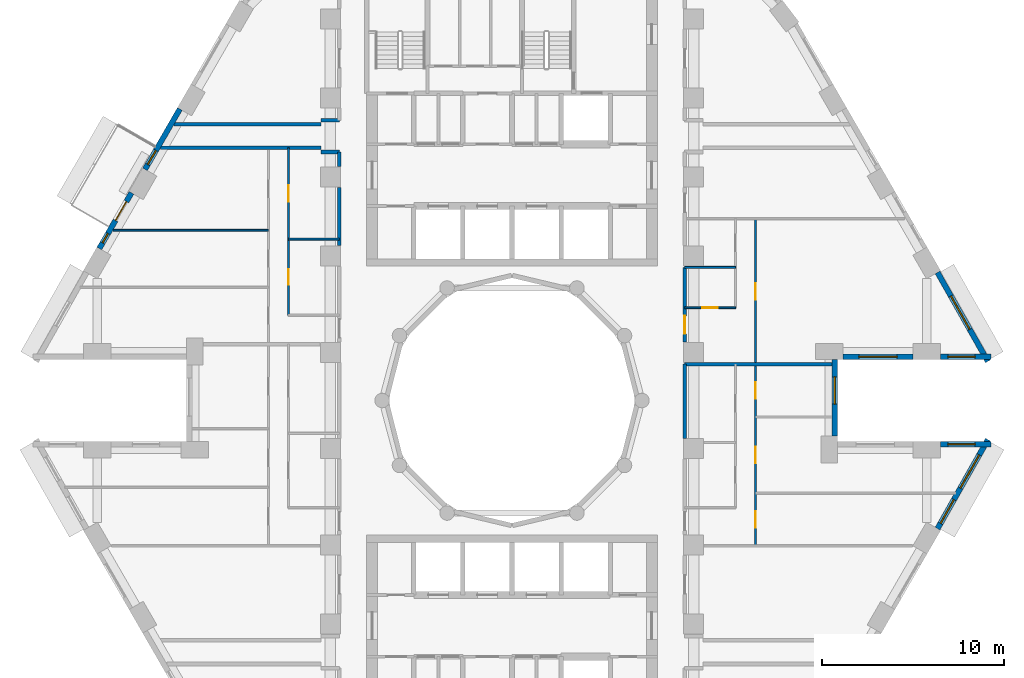
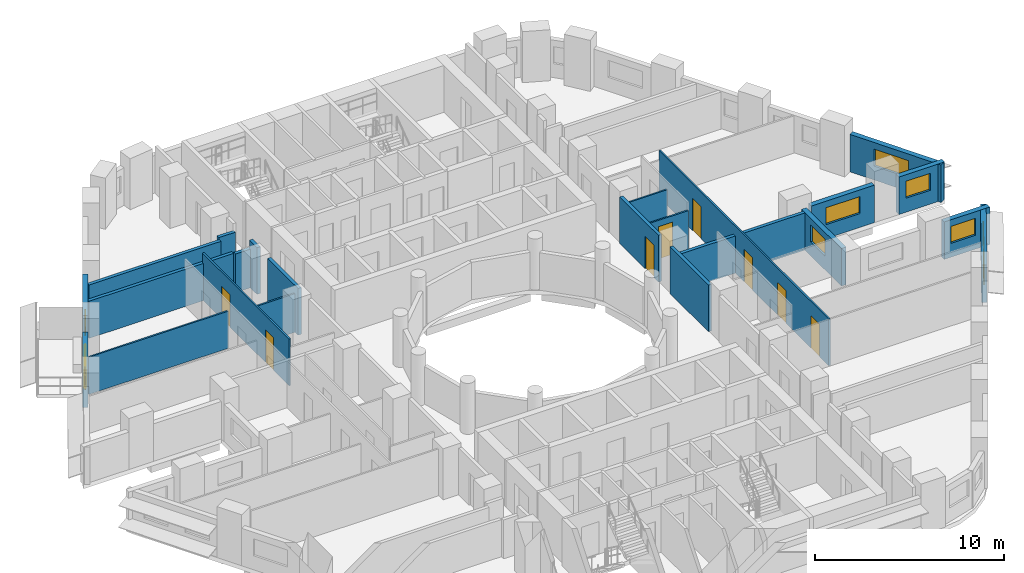
# One storey, part 6 of 13: 23 walls, 9 doors, 9 windows, 18 openings.
"""IFC4 building model written with IfcOpenShell, lengths in metres."""

import ifcopenshell
import ifcopenshell.guid

model = None  # the IFC model being written
_history = None  # IfcOwnerHistory: only IFC2X3 demands one
_inside = {}  # id of a spatial element -> (the spatial element, [elements in it])
_under = {}  # id of a project, library or spatial element -> (it, [spatial elements below it])
_declared = {}  # id of a project -> (the project, [libraries it declares])
_typed = {}  # id of a type object -> (the type object, [elements of that type])
_made_of = {}  # id of a material, layer set ... -> (it, [elements and type objects made of it])


def new_model(schema):
    """Start an empty IFC model of exactly this schema.

    Asked for "IFC4X3", IfcOpenShell would pick the latest addendum, in which some entities
    have other attributes; the version numbers below select the first issue.
    IFC2X3 requires an IfcOwnerHistory on every rooted entity: one is made here for all.
    """
    global model, _history
    if schema == "IFC4X3":
        model = ifcopenshell.file(schema_version=(4, 3, 0, 0))
    else:
        model = ifcopenshell.file(schema=schema)
    _inside.clear()
    _under.clear()
    _declared.clear()
    _typed.clear()
    _made_of.clear()
    _history = None
    if model.schema == "IFC2X3":
        org = make("IfcOrganization", Name="unknown")
        user = make(
            "IfcPersonAndOrganization",
            ThePerson=make("IfcPerson", FamilyName="unknown"),
            TheOrganization=org,
        )
        app = make(
            "IfcApplication",
            ApplicationDeveloper=org,
            Version="unknown",
            ApplicationFullName="unknown",
            ApplicationIdentifier="unknown",
        )
        _history = make(
            "IfcOwnerHistory",
            OwningUser=user,
            OwningApplication=app,
            ChangeAction="ADDED",
            CreationDate=0,
        )
    return model


def make(cls, **values):
    """One entity of the class cls with the attributes given. An attribute that is None is left unset."""
    return model.create_entity(
        cls, **{name: value for name, value in values.items() if value is not None}
    )


def rooted(cls, **values):
    """An entity with a GlobalId (a new one), such as an element, a storey or a relation."""
    return make(cls, GlobalId=ifcopenshell.guid.new(), OwnerHistory=_history, **values)


def si_unit(unit_type, name, prefix=None):
    """IfcSIUnit, for example si_unit("LENGTHUNIT", "METRE", prefix="MILLI")."""
    return make("IfcSIUnit", UnitType=unit_type, Prefix=prefix, Name=name)


def assignment(units):
    """IfcUnitAssignment: the units of a project."""
    return None if units is None else make("IfcUnitAssignment", Units=units)


def point(xyz):
    """IfcCartesianPoint."""
    return None if xyz is None else make("IfcCartesianPoint", Coordinates=xyz)


def direction(xyz):
    """IfcDirection."""
    return None if xyz is None else make("IfcDirection", DirectionRatios=xyz)


def frame(location, z_axis=None, x_axis=None):
    """IfcAxis2Placement3D, a coordinate frame: its origin and axes. An axis left out is left unset."""
    return make(
        "IfcAxis2Placement3D",
        Location=point(location),
        Axis=direction(z_axis),
        RefDirection=direction(x_axis),
    )


def frame_2d(location, x_axis=None):
    """IfcAxis2Placement2D, a coordinate frame in the plane: its origin and x axis."""
    return make(
        "IfcAxis2Placement2D", Location=point(location), RefDirection=direction(x_axis)
    )


def origin():
    """The frame at (0, 0, 0) with its axes left unset."""
    return frame((0.0, 0.0, 0.0))


def place(relative_to, where):
    """IfcLocalPlacement: puts the frame where relative to a parent placement (None: the world)."""
    return make(
        "IfcLocalPlacement", PlacementRelTo=relative_to, RelativePlacement=where
    )


def context(
    kind, dimensions, precision=None, world=None, true_north=None, identifier=None
):
    """IfcGeometricRepresentationContext, for example the 3D "Model" context."""
    return make(
        "IfcGeometricRepresentationContext",
        ContextIdentifier=identifier,
        ContextType=kind,
        CoordinateSpaceDimension=dimensions,
        Precision=precision,
        WorldCoordinateSystem=world,
        TrueNorth=true_north,
    )


def subcontext(parent, identifier, kind, view, scale=None):
    """IfcGeometricRepresentationSubContext, for example "Body" below "Model"."""
    return make(
        "IfcGeometricRepresentationSubContext",
        ContextIdentifier=identifier,
        ContextType=kind,
        ParentContext=parent,
        TargetScale=scale,
        TargetView=view,
    )


def project(units=None, contexts=None):
    """IfcProject with its units and contexts."""
    return rooted(
        "IfcProject",
        Name="project",
        RepresentationContexts=contexts,
        UnitsInContext=assignment(units),
    )


def spatial(cls, under=None, at=None, **own):
    """A site, building, storey or space (cls), placed at a placement, below another one or the project."""
    s = rooted(cls, ObjectPlacement=at, **own)
    if under is not None:
        _under.setdefault(under.id(), (under, []))[1].append(s)
    return s


def profile(cls, at=None, kind="AREA", **sizes):
    """A parametric profile (cls). Its sizes go by their IFC names, for example OverallWidth=200.0."""
    return make(cls, ProfileType=kind, Position=at, **sizes)


def rectangle(**sizes):
    """IfcRectangleProfileDef."""
    return profile("IfcRectangleProfileDef", **sizes)


def extrude(swept, where, along, depth):
    """IfcExtrudedAreaSolid: the profile swept, set in the frame where, extruded along a direction by depth."""
    return make(
        "IfcExtrudedAreaSolid",
        SweptArea=swept,
        Position=where,
        ExtrudedDirection=direction(along),
        Depth=depth,
    )


def shape(context_of_items, identifier, shape_type, items):
    """IfcShapeRepresentation: the items that make up one representation, for example the "Body"."""
    return make(
        "IfcShapeRepresentation",
        ContextOfItems=context_of_items,
        RepresentationIdentifier=identifier,
        RepresentationType=shape_type,
        Items=items,
    )


def material(Name=None, Category=None):
    """IfcMaterial."""
    return make("IfcMaterial", Name=Name, Category=Category)


def layer(
    of_material, thickness, ventilated=None, Name=None, Category=None, Priority=None
):
    """IfcMaterialLayer: one layer of a wall or slab, of a material (None: an air gap)."""
    return make(
        "IfcMaterialLayer",
        Material=of_material,
        LayerThickness=thickness,
        IsVentilated=ventilated,
        Name=Name,
        Category=Category,
        Priority=Priority,
    )


def layer_set(layers, Name=None):
    """IfcMaterialLayerSet."""
    return make("IfcMaterialLayerSet", MaterialLayers=layers, LayerSetName=Name)


def made_of(thing, what):
    """Note that an element or type object is made of a material, layer set ...; save() writes the relation."""
    if what is not None:
        _made_of.setdefault(what.id(), (what, []))[1].append(thing)
    return thing


def type_object(cls, material=None, **own):
    """A type object (cls), such as IfcWallType, which elements share."""
    return made_of(rooted(cls, **own), material)


def element(
    cls,
    number,
    at=None,
    inside=None,
    cuts=None,
    type_object=None,
    material=None,
    context=None,
    identifier="Body",
    shape_type=None,
    held_by="IfcProductDefinitionShape",
    body=None,
    shapes=None,
    **own,
):
    """One element of the class cls, such as IfcWall. Its Tag is "e" and its number.

    at: its placement. inside: the storey or other place that contains it. cuts: it is an
    opening in that element (IfcRelVoidsElement). A single representation is given by context,
    identifier, shape_type and body (its items); several are given by shapes. held_by: the class
    of the entity that holds the representations. save() writes the other relations.
    """
    e = rooted(cls, Tag="e%d" % number, ObjectPlacement=at, **own)
    if body is not None:
        shapes = [shape(context, identifier, shape_type, body)]
    if shapes is not None:
        e.Representation = make(held_by, Representations=shapes)
    if inside is not None:
        _inside.setdefault(inside.id(), (inside, []))[1].append(e)
    if cuts is not None:
        rooted(
            "IfcRelVoidsElement", RelatingBuildingElement=cuts, RelatedOpeningElement=e
        )
    if type_object is not None:
        _typed.setdefault(type_object.id(), (type_object, []))[1].append(e)
    return made_of(e, material)


def fill(opening, filler):
    """IfcRelFillsElement: the door or window that sits in an opening."""
    return rooted(
        "IfcRelFillsElement",
        RelatingOpeningElement=opening,
        RelatedBuildingElement=filler,
    )


def aggregate(whole, parts):
    """IfcRelAggregates: a whole, such as a stair, and the parts it consists of."""
    return rooted("IfcRelAggregates", RelatingObject=whole, RelatedObjects=parts)


def save(model, path):
    """Write the relations noted so far, then the file.

    IfcRelAggregates (storeys below a building ...), IfcRelContainedInSpatialStructure (elements
    in a storey), IfcRelDefinesByType, IfcRelAssociatesMaterial and IfcRelDeclares: one each for
    every whole, place, type object, material and project.
    """
    for whole, parts in _under.values():
        aggregate(whole, parts)
    for where, things in _inside.values():
        rooted(
            "IfcRelContainedInSpatialStructure",
            RelatedElements=things,
            RelatingStructure=where,
        )
    for kind, things in _typed.values():
        rooted("IfcRelDefinesByType", RelatedObjects=things, RelatingType=kind)
    for what, things in _made_of.values():
        rooted("IfcRelAssociatesMaterial", RelatedObjects=things, RelatingMaterial=what)
    for by, libraries in _declared.values():
        rooted("IfcRelDeclares", RelatingContext=by, RelatedDefinitions=libraries)
    model.write(path)


model = new_model("IFC4")

# Units and contexts
model_context = context("Model", 3, precision=1e-05, world=origin(), true_north=direction((0.0, 1.0)))
body_context = subcontext(model_context, "Body", "Model", "MODEL_VIEW")
ifc_project = project(units=[si_unit("LENGTHUNIT", "METRE"), si_unit("AREAUNIT", "SQUARE_METRE"), si_unit("VOLUMEUNIT", "CUBIC_METRE"), si_unit("PLANEANGLEUNIT", "RADIAN"), si_unit("MASSUNIT", "GRAM", prefix="KILO")], contexts=[model_context])

# Site, building, storey
site_placement = place(None, origin())
site = spatial("IfcSite", under=ifc_project, at=site_placement, CompositionType="ELEMENT")
building_placement = place(site_placement, origin())
building = spatial("IfcBuilding", under=site, at=building_placement, Name="Nakaniwa Court", CompositionType="ELEMENT")
storey_placement = place(building_placement, frame((0.0, 0.0, 44.699951171875)))
storey = spatial("IfcBuildingStorey", under=building, at=storey_placement, Name="L11", CompositionType="ELEMENT", Elevation=44.699951171875)

# Wall
ifc_material_1 = material(Name="Acoustic double stud partition")
ifc_layer_1 = layer(ifc_material_1, 0.199951171875)
ifc_layer_set_1 = layer_set([ifc_layer_1], Name="Acoustic double stud partition")
wall_type_1 = type_object("IfcWallType", Name="Acoustic double stud partition 200", PredefinedType="PARTITIONING", material=ifc_layer_set_1)
wall_1_placement = place(storey_placement, frame((89.5, 77.9169921875, 0.0), z_axis=(0.0, 0.0, 1.0), x_axis=(0.0, 1.0, 0.0)))
element("IfcWall", 1, at=wall_1_placement, inside=storey, type_object=wall_type_1, Name="Partition PW-078", PredefinedType="PARTITIONING", context=body_context, shape_type="SweptSolid", body=[
    extrude(rectangle(XDim=4.0859375, YDim=0.199951171875, at=frame_2d((2.04296875, 0.0))), origin(), (0.0, 0.0, 1.0), 3.025146484375),
])

# Wall, opening, door
wall_2_placement = place(storey_placement, frame((89.5, 87.330322265625, 0.0), z_axis=(0.0, 0.0, 1.0), x_axis=(0.0, -1.0, 0.0)))
wall_2 = element("IfcWall", 2, at=wall_2_placement, inside=storey, type_object=wall_type_1, Name="Partition PW-079", PredefinedType="PARTITIONING", context=body_context, shape_type="SweptSolid", body=[
    extrude(rectangle(XDim=4.11328125, YDim=0.199951171875, at=frame_2d((2.056640625, 0.0))), origin(), (0.0, 0.0, 1.0), 3.025146484375),
])
opening_1_placement = place(wall_2_placement, frame((2.669921875, 0.0, 0.0)))
opening_1 = element("IfcOpeningElement", 3, at=opening_1_placement, cuts=wall_2, Name="Opening D-01-02", PredefinedType="OPENING", context=body_context, shape_type="SweptSolid", body=[
    extrude(rectangle(XDim=1.0, YDim=2.10009765625, at=frame_2d((0.5, 1.050048828125))), frame((0.0, 0.10986328125, 0.0), z_axis=(0.0, -1.0, 0.0), x_axis=(1.0, 0.0, 0.0)), (0.0, 0.0, 1.0), 0.219970703125),
])
ifc_material_2 = material(Name="Solid core timber door set, black veneer", Category="wood")
door_type_1 = type_object("IfcDoorType", Name="Flat entrance door 1000", OperationType="NOTDEFINED", PredefinedType="DOOR", material=ifc_material_2)
door_1_placement = place(opening_1_placement, origin())
door_1 = element("IfcDoor", 4, at=door_1_placement, inside=storey, type_object=door_type_1, Name="Door D-01-02 L11-038", OperationType="SINGLE_SWING_LEFT", OverallHeight=2.10009765625, OverallWidth=1.0, PredefinedType="DOOR", context=body_context, shape_type="SweptSolid", body=[
    extrude(rectangle(XDim=1.0, YDim=2.10009765625, at=frame_2d((0.5, 1.050048828125))), frame((0.0, 0.02490234375, 0.0), z_axis=(0.0, -1.0, 0.0), x_axis=(1.0, 0.0, 0.0)), (0.0, 0.0, 1.0), 0.050048828125),
])
fill(opening_1, door_1)

# Walls
wall_3_placement = place(storey_placement, frame((69.5, 95.425048828125, 0.0), z_axis=(0.0, 0.0, 1.0), x_axis=(1.0, 0.0, 0.0)))
element("IfcWall", 5, at=wall_3_placement, inside=storey, type_object=wall_type_1, Name="Partition PW-085", PredefinedType="PARTITIONING", context=body_context, shape_type="SweptSolid", body=[
    extrude(rectangle(XDim=1.0, YDim=0.199951171875, at=frame_2d((0.5, 0.0))), origin(), (0.0, 0.0, 1.0), 2.505126953125),
])
wall_4_placement = place(storey_placement, frame((61.4091796875, 95.199951171875, 0.0), z_axis=(0.0, 0.0, 1.0), x_axis=(1.0, 0.0, 0.0)))
element("IfcWall", 6, at=wall_4_placement, inside=storey, type_object=wall_type_1, Name="Partition PW-087", PredefinedType="PARTITIONING", context=body_context, shape_type="SweptSolid", body=[
    extrude(rectangle(XDim=8.0908203125, YDim=0.199951171875, at=frame_2d((4.04541015625, 0.0))), origin(), (0.0, 0.0, 1.0), 2.405029296875),
])
wall_5_placement = place(storey_placement, frame((60.65869140625, 93.89990234375, 0.0), z_axis=(0.0, 0.0, 1.0), x_axis=(1.0, 0.0, 0.0)))
element("IfcWall", 7, at=wall_5_placement, inside=storey, type_object=wall_type_1, Name="Partition PW-089", PredefinedType="PARTITIONING", context=body_context, shape_type="SweptSolid", body=[
    extrude(rectangle(XDim=8.84130859375, YDim=0.199951171875, at=frame_2d((4.420654296875, 0.0))), origin(), (0.0, 0.0, 1.0), 2.405029296875),
])
wall_6_placement = place(storey_placement, frame((69.5, 93.675048828125, 0.0), z_axis=(0.0, 0.0, 1.0), x_axis=(1.0, 0.0, 0.0)))
element("IfcWall", 8, at=wall_6_placement, inside=storey, type_object=wall_type_1, Name="Partition PW-091", PredefinedType="PARTITIONING", context=body_context, shape_type="SweptSolid", body=[
    extrude(rectangle(XDim=1.0, YDim=0.199951171875, at=frame_2d((0.5, 0.0))), origin(), (0.0, 0.0, 1.0), 2.505126953125),
])
wall_7_placement = place(storey_placement, frame((70.5, 88.51708984375, 0.0), z_axis=(0.0, 0.0, 1.0), x_axis=(0.0, 1.0, 0.0)))
element("IfcWall", 9, at=wall_7_placement, inside=storey, type_object=wall_type_1, Name="Partition PW-108", PredefinedType="PARTITIONING", context=body_context, shape_type="SweptSolid", body=[
    extrude(rectangle(XDim=3.2158203125, YDim=0.199951171875, at=frame_2d((1.60791015625, 0.0))), origin(), (0.0, 0.0, 1.0), 3.025146484375),
])
wall_8_placement = place(storey_placement, frame((70.5, 92.866943359375, 0.0), z_axis=(0.0, 0.0, 1.0), x_axis=(0.0, 1.0, 0.0)))
element("IfcWall", 10, at=wall_8_placement, inside=storey, type_object=wall_type_1, Name="Partition PW-109", PredefinedType="PARTITIONING", context=body_context, shape_type="SweptSolid", body=[
    extrude(rectangle(XDim=0.81103515625, YDim=0.199951171875, at=frame_2d((0.405517578125, 0.0))), origin(), (0.0, 0.0, 1.0), 3.025146484375),
])
wall_9_placement = place(storey_placement, frame((89.5, 82.0, 0.0), z_axis=(0.0, 0.0, 1.0), x_axis=(1.0, 0.0, 0.0)))
element("IfcWall", 11, at=wall_9_placement, inside=storey, type_object=wall_type_1, Name="Partition PW-118", PredefinedType="PARTITIONING", context=body_context, shape_type="SweptSolid", body=[
    extrude(rectangle(XDim=8.1083984375, YDim=0.199951171875, at=frame_2d((4.05419921875, 0.0))), origin(), (0.0, 0.0, 1.0), 2.405029296875),
])

# Wall, opening, window
ifc_material_3 = material(Name="Charcoal ceramic cladding")
ifc_layer_2 = layer(ifc_material_3, 0.02, Name="Ceramic cladding")
ifc_material_4 = material(Name="Ventilated air cavity")
ifc_layer_3 = layer(ifc_material_4, 0.04, ventilated=True, Name="Ventilated cavity")
ifc_material_5 = material(Name="Mineral wool insulation")
ifc_layer_4 = layer(ifc_material_5, 0.1, Name="Insulation")
ifc_material_6 = material(Name="Cement bonded sheathing board")
ifc_layer_5 = layer(ifc_material_6, 0.012, Name="Sheathing")
ifc_material_7 = material(Name="Cold-formed galvanised stud frame with mineral wool infill")
ifc_layer_6 = layer(ifc_material_7, 0.1, Name="Stud frame")
ifc_material_8 = material(Name="Fire-rated gypsum plasterboard lining")
ifc_layer_7 = layer(ifc_material_8, 0.028, Name="Lining")
ifc_layer_set_2 = layer_set([ifc_layer_2, ifc_layer_3, ifc_layer_4, ifc_layer_5, ifc_layer_6, ifc_layer_7], Name="Charcoal ceramic faced external wall system")
wall_type_2 = type_object("IfcWallType", Name="Black ceramic faced external wall 300", PredefinedType="SOLIDWALL", material=ifc_layer_set_2)
wall_10_placement = place(storey_placement, frame((98.204345703125, 82.39990234375, 0.0), z_axis=(0.0, 0.0, 1.0), x_axis=(1.0, 0.0, 0.0)))
wall_10 = element("IfcWall", 12, at=wall_10_placement, inside=storey, type_object=wall_type_2, Name="L11 external wall 00", PredefinedType="SOLIDWALL", context=body_context, shape_type="SweptSolid", body=[
    extrude(rectangle(XDim=3.87255859375, YDim=0.300048828125, at=frame_2d((1.936279296875, 0.0))), origin(), (0.0, 0.0, 1.0), 2.425048828125),
])
opening_2_placement = place(wall_10_placement, frame((0.88623046875, 0.0, 0.89990234375)))
opening_2 = element("IfcOpeningElement", 13, at=opening_2_placement, cuts=wall_10, Name="Opening W7.01", PredefinedType="OPENING", context=body_context, shape_type="SweptSolid", body=[
    extrude(rectangle(XDim=2.10009765625, YDim=1.10009765625, at=frame_2d((1.050048828125, 0.550048828125))), frame((0.0, 0.159912109375, 0.0), z_axis=(0.0, -1.0, 0.0), x_axis=(1.0, 0.0, 0.0)), (0.0, 0.0, 1.0), 0.320068359375),
])
ifc_material_9 = material(Name="Black anodised aluminium frame with dark low-E laminated double glazing", Category="aluminium")
window_type_1 = type_object("IfcWindowType", Name="Dark glass window 2100x1100 sill 900", PartitioningType="SINGLE_PANEL", PredefinedType="WINDOW", material=ifc_material_9)
window_1_placement = place(opening_2_placement, origin())
window_1 = element("IfcWindow", 14, at=window_1_placement, inside=storey, type_object=window_type_1, Name="L11 living window 00-0", OverallHeight=1.10009765625, OverallWidth=2.10009765625, PartitioningType="SINGLE_PANEL", PredefinedType="WINDOW", context=body_context, shape_type="SweptSolid", body=[
    extrude(rectangle(XDim=2.10009765625, YDim=1.10009765625, at=frame_2d((1.050048828125, 0.550048828125))), frame((0.0, 0.030029296875, 0.0), z_axis=(0.0, -1.0, 0.0), x_axis=(1.0, 0.0, 0.0)), (0.0, 0.0, 1.0), 0.06005859375),
])
fill(opening_2, window_1)

wall_11_placement = place(storey_placement, frame((103.56884765625, 82.39990234375, 0.0), z_axis=(0.0, 0.0, 1.0), x_axis=(1.0, 0.0, 0.0)))
wall_11 = element("IfcWall", 15, at=wall_11_placement, inside=storey, type_object=wall_type_2, Name="L11 external wall 01", PredefinedType="SOLIDWALL", context=body_context, shape_type="SweptSolid", body=[
    extrude(rectangle(XDim=2.787841796875, YDim=0.300048828125, at=frame_2d((1.39404296875, 0.0))), origin(), (0.0, 0.0, 1.0), 2.425048828125),
])
opening_3_placement = place(wall_11_placement, frame((0.4189453125, 0.0, 0.89990234375)))
opening_3 = element("IfcOpeningElement", 16, at=opening_3_placement, cuts=wall_11, Name="Opening W5.02", PredefinedType="OPENING", context=body_context, shape_type="SweptSolid", body=[
    extrude(rectangle(XDim=1.5, YDim=1.10009765625, at=frame_2d((0.75, 0.550048828125))), frame((0.0, 0.159912109375, 0.0), z_axis=(0.0, -1.0, 0.0), x_axis=(1.0, 0.0, 0.0)), (0.0, 0.0, 1.0), 0.320068359375),
])
window_type_2 = type_object("IfcWindowType", Name="Dark glass window 1500x1100 sill 900", PartitioningType="SINGLE_PANEL", PredefinedType="WINDOW", material=ifc_material_9)
window_2_placement = place(opening_3_placement, origin())
window_2 = element("IfcWindow", 17, at=window_2_placement, inside=storey, type_object=window_type_2, Name="L11 living window 01-0", OverallHeight=1.10009765625, OverallWidth=1.5, PartitioningType="SINGLE_PANEL", PredefinedType="WINDOW", context=body_context, shape_type="SweptSolid", body=[
    extrude(rectangle(XDim=1.5, YDim=1.10009765625, at=frame_2d((0.75, 0.550048828125))), frame((0.0, 0.030029296875, 0.0), z_axis=(0.0, -1.0, 0.0), x_axis=(1.0, 0.0, 0.0)), (0.0, 0.0, 1.0), 0.06005859375),
])
fill(opening_3, window_2)

wall_12_placement = place(storey_placement, frame((106.18603515625, 82.1533203125, 0.0), z_axis=(0.0, 0.0, 1.0), x_axis=(-0.492363204642, 0.870389840655, 0.0)))
wall_12 = element("IfcWall", 18, at=wall_12_placement, inside=storey, type_object=wall_type_2, Name="L11 external wall 02", PredefinedType="SOLIDWALL", context=body_context, shape_type="SweptSolid", body=[
    extrude(rectangle(XDim=5.62646484375, YDim=0.300048828125, at=frame_2d((2.813232421875, 0.0))), origin(), (0.0, 0.0, 1.0), 2.425048828125),
])
opening_4_placement = place(wall_12_placement, frame((2.0263671875, 0.0, 0.89990234375)))
opening_4 = element("IfcOpeningElement", 19, at=opening_4_placement, cuts=wall_12, Name="Opening W7.03", PredefinedType="OPENING", context=body_context, shape_type="SweptSolid", body=[
    extrude(rectangle(XDim=2.10009765625, YDim=1.10009765625, at=frame_2d((1.050048828125, 0.550048828125))), frame((0.0, 0.159912109375, 0.0), z_axis=(0.0, -1.0, 0.0), x_axis=(1.0, 0.0, 0.0)), (0.0, 0.0, 1.0), 0.320068359375),
])
window_3_placement = place(opening_4_placement, origin())
window_3 = element("IfcWindow", 20, at=window_3_placement, inside=storey, type_object=window_type_1, Name="L11 living window 02-0", OverallHeight=1.10009765625, OverallWidth=2.10009765625, PartitioningType="SINGLE_PANEL", PredefinedType="WINDOW", context=body_context, shape_type="SweptSolid", body=[
    extrude(rectangle(XDim=2.10009765625, YDim=1.10009765625, at=frame_2d((1.050048828125, 0.550048828125))), frame((0.0, 0.030029296875, 0.0), z_axis=(0.0, -1.0, 0.0), x_axis=(1.0, 0.0, 0.0)), (0.0, 0.0, 1.0), 0.06005859375),
])
fill(opening_4, window_3)

wall_13_placement = place(storey_placement, frame((61.7216796875, 96.041015625, 0.0), z_axis=(0.0, 0.0, 1.0), x_axis=(-0.500001735503, -0.866024401789, 0.0)))
wall_13 = element("IfcWall", 21, at=wall_13_placement, inside=storey, type_object=wall_type_2, Name="L11 external wall 12", PredefinedType="SOLIDWALL", context=body_context, shape_type="SweptSolid", body=[
    extrude(rectangle(XDim=3.833984375, YDim=0.300048828125, at=frame_2d((1.9169921875, 0.0))), origin(), (0.0, 0.0, 1.0), 2.425048828125),
])
opening_5_placement = place(wall_13_placement, frame((2.629150390625, 0.0, 0.89990234375)))
opening_5 = element("IfcOpeningElement", 22, at=opening_5_placement, cuts=wall_13, Name="Opening W9.13", PredefinedType="OPENING", context=body_context, shape_type="SweptSolid", body=[
    extrude(rectangle(XDim=0.89990234375, YDim=1.10009765625, at=frame_2d((0.449951171875, 0.550048828125))), frame((0.0, 0.159912109375, 0.0), z_axis=(0.0, -1.0, 0.0), x_axis=(1.0, 0.0, 0.0)), (0.0, 0.0, 1.0), 0.320068359375),
])
window_type_3 = type_object("IfcWindowType", Name="Dark glass window 900x1100 sill 900", PartitioningType="SINGLE_PANEL", PredefinedType="WINDOW", material=ifc_material_9)
window_4_placement = place(opening_5_placement, origin())
window_4 = element("IfcWindow", 23, at=window_4_placement, inside=storey, type_object=window_type_3, Name="L11 living window 12-2", OverallHeight=1.10009765625, OverallWidth=0.89990234375, PartitioningType="SINGLE_PANEL", PredefinedType="WINDOW", context=body_context, shape_type="SweptSolid", body=[
    extrude(rectangle(XDim=0.89990234375, YDim=1.10009765625, at=frame_2d((0.449951171875, 0.550048828125))), frame((0.0, 0.030029296875, 0.0), z_axis=(0.0, -1.0, 0.0), x_axis=(1.0, 0.0, 0.0)), (0.0, 0.0, 1.0), 0.06005859375),
])
fill(opening_5, window_4)

# Wall, openings, door, window
wall_14_placement = place(storey_placement, frame((59.05859375, 91.4287109375, 0.0), z_axis=(0.0, 0.0, 1.0), x_axis=(-0.499977402622, -0.866038449993, 0.0)))
wall_14 = element("IfcWall", 24, at=wall_14_placement, inside=storey, type_object=wall_type_2, Name="L11 external wall 13", PredefinedType="SOLIDWALL", context=body_context, shape_type="SweptSolid", body=[
    extrude(rectangle(XDim=3.536865234375, YDim=0.300048828125, at=frame_2d((1.7685546875, 0.0))), origin(), (0.0, 0.0, 1.0), 2.425048828125),
])
opening_6_placement = place(wall_14_placement, frame((0.55078125, 0.0, 0.0)))
opening_6 = element("IfcOpeningElement", 25, at=opening_6_placement, cuts=wall_14, Name="Opening XD10.01", PredefinedType="OPENING", context=body_context, shape_type="SweptSolid", body=[
    extrude(rectangle(XDim=1.199951171875, YDim=2.0, at=frame_2d((0.60009765625, 1.0))), frame((0.0, 0.159912109375, 0.0), z_axis=(0.0, -1.0, 0.0), x_axis=(1.0, 0.0, 0.0)), (0.0, 0.0, 1.0), 0.320068359375),
])
opening_7_placement = place(wall_14_placement, frame((2.582275390625, 0.0, 0.89990234375)))
opening_7 = element("IfcOpeningElement", 26, at=opening_7_placement, cuts=wall_14, Name="Opening W8.14", PredefinedType="OPENING", context=body_context, shape_type="SweptSolid", body=[
    extrude(rectangle(XDim=0.60009765625, YDim=1.10009765625, at=frame_2d((0.300048828125, 0.550048828125))), frame((0.0, 0.159912109375, 0.0), z_axis=(0.0, -1.0, 0.0), x_axis=(1.0, 0.0, 0.0)), (0.0, 0.0, 1.0), 0.320068359375),
])
ifc_material_10 = material(Name="Black powder-coated aluminium frame with dark laminated glass", Category="aluminium")
door_type_2 = type_object("IfcDoorType", Name="Balcony sliding door 1200x2000", OperationType="SLIDING_TO_LEFT", PredefinedType="DOOR", material=ifc_material_10)
door_2_placement = place(opening_6_placement, origin())
door_2 = element("IfcDoor", 27, at=door_2_placement, inside=storey, type_object=door_type_2, Name="L11 balcony sliding door 01", OperationType="SLIDING_TO_LEFT", OverallHeight=2.0, OverallWidth=1.199951171875, PredefinedType="DOOR", context=body_context, shape_type="SweptSolid", body=[
    extrude(rectangle(XDim=1.199951171875, YDim=2.0, at=frame_2d((0.60009765625, 1.0))), frame((0.0, 0.02490234375, 0.0), z_axis=(0.0, -1.0, 0.0), x_axis=(1.0, 0.0, 0.0)), (0.0, 0.0, 1.0), 0.050048828125),
])
fill(opening_6, door_2)
window_type_4 = type_object("IfcWindowType", Name="Dark glass window 600x1100 sill 900", PartitioningType="SINGLE_PANEL", PredefinedType="WINDOW", material=ifc_material_9)
window_5_placement = place(opening_7_placement, origin())
window_5 = element("IfcWindow", 28, at=window_5_placement, inside=storey, type_object=window_type_4, Name="L11 bedroom window 13-1", OverallHeight=1.10009765625, OverallWidth=0.60009765625, PartitioningType="SINGLE_PANEL", PredefinedType="WINDOW", context=body_context, shape_type="SweptSolid", body=[
    extrude(rectangle(XDim=0.60009765625, YDim=1.10009765625, at=frame_2d((0.300048828125, 0.550048828125))), frame((0.0, 0.030029296875, 0.0), z_axis=(0.0, -1.0, 0.0), x_axis=(1.0, 0.0, 0.0)), (0.0, 0.0, 1.0), 0.06005859375),
])
fill(opening_7, window_5)

# Wall, openings, windows
wall_15_placement = place(storey_placement, frame((103.415771484375, 72.949462890625, 0.0), z_axis=(0.0, 0.0, 1.0), x_axis=(0.492363204642, 0.870389840655, 0.0)))
wall_15 = element("IfcWall", 29, at=wall_15_placement, inside=storey, type_object=wall_type_2, Name="L11 external wall 32", PredefinedType="SOLIDWALL", context=body_context, shape_type="SweptSolid", body=[
    extrude(rectangle(XDim=5.62646484375, YDim=0.300048828125, at=frame_2d((2.813232421875, 0.0))), origin(), (0.0, 0.0, 1.0), 2.425048828125),
])
opening_8_placement = place(wall_15_placement, frame((0.337158203125, 0.0, 0.89990234375)))
opening_8 = element("IfcOpeningElement", 30, at=opening_8_placement, cuts=wall_15, Name="Opening W5.31", PredefinedType="OPENING", context=body_context, shape_type="SweptSolid", body=[
    extrude(rectangle(XDim=1.5, YDim=1.10009765625, at=frame_2d((0.75, 0.550048828125))), frame((0.0, 0.159912109375, 0.0), z_axis=(0.0, -1.0, 0.0), x_axis=(1.0, 0.0, 0.0)), (0.0, 0.0, 1.0), 0.320068359375),
])
opening_9_placement = place(wall_15_placement, frame((2.5615234375, 0.0, 0.89990234375)))
opening_9 = element("IfcOpeningElement", 31, at=opening_9_placement, cuts=wall_15, Name="Opening W7.32", PredefinedType="OPENING", context=body_context, shape_type="SweptSolid", body=[
    extrude(rectangle(XDim=2.10009765625, YDim=1.10009765625, at=frame_2d((1.050048828125, 0.550048828125))), frame((0.0, 0.159912109375, 0.0), z_axis=(0.0, -1.0, 0.0), x_axis=(1.0, 0.0, 0.0)), (0.0, 0.0, 1.0), 0.320068359375),
])
window_6_placement = place(opening_8_placement, origin())
window_6 = element("IfcWindow", 32, at=window_6_placement, inside=storey, type_object=window_type_2, Name="L11 bedroom window 32-0", OverallHeight=1.10009765625, OverallWidth=1.5, PartitioningType="SINGLE_PANEL", PredefinedType="WINDOW", context=body_context, shape_type="SweptSolid", body=[
    extrude(rectangle(XDim=1.5, YDim=1.10009765625, at=frame_2d((0.75, 0.550048828125))), frame((0.0, 0.030029296875, 0.0), z_axis=(0.0, -1.0, 0.0), x_axis=(1.0, 0.0, 0.0)), (0.0, 0.0, 1.0), 0.06005859375),
])
fill(opening_8, window_6)
window_7_placement = place(opening_9_placement, origin())
window_7 = element("IfcWindow", 33, at=window_7_placement, inside=storey, type_object=window_type_1, Name="L11 living window 32-1", OverallHeight=1.10009765625, OverallWidth=2.10009765625, PartitioningType="SINGLE_PANEL", PredefinedType="WINDOW", context=body_context, shape_type="SweptSolid", body=[
    extrude(rectangle(XDim=2.10009765625, YDim=1.10009765625, at=frame_2d((1.050048828125, 0.550048828125))), frame((0.0, 0.030029296875, 0.0), z_axis=(0.0, -1.0, 0.0), x_axis=(1.0, 0.0, 0.0)), (0.0, 0.0, 1.0), 0.06005859375),
])
fill(opening_9, window_7)

# Wall, opening, window
wall_16_placement = place(storey_placement, frame((106.356689453125, 77.60009765625, 0.0), z_axis=(0.0, 0.0, 1.0), x_axis=(-1.0, 0.0, 0.0)))
wall_16 = element("IfcWall", 34, at=wall_16_placement, inside=storey, type_object=wall_type_2, Name="L11 external wall 33", PredefinedType="SOLIDWALL", context=body_context, shape_type="SweptSolid", body=[
    extrude(rectangle(XDim=2.787841796875, YDim=0.300048828125, at=frame_2d((1.39404296875, 0.0))), origin(), (0.0, 0.0, 1.0), 2.425048828125),
])
opening_10_placement = place(wall_16_placement, frame((0.868896484375, 0.0, 0.89990234375)))
opening_10 = element("IfcOpeningElement", 35, at=opening_10_placement, cuts=wall_16, Name="Opening W5.33", PredefinedType="OPENING", context=body_context, shape_type="SweptSolid", body=[
    extrude(rectangle(XDim=1.5, YDim=1.10009765625, at=frame_2d((0.75, 0.550048828125))), frame((0.0, 0.159912109375, 0.0), z_axis=(0.0, -1.0, 0.0), x_axis=(1.0, 0.0, 0.0)), (0.0, 0.0, 1.0), 0.320068359375),
])
window_8_placement = place(opening_10_placement, origin())
window_8 = element("IfcWindow", 36, at=window_8_placement, inside=storey, type_object=window_type_2, Name="L11 living window 33-0", OverallHeight=1.10009765625, OverallWidth=1.5, PartitioningType="SINGLE_PANEL", PredefinedType="WINDOW", context=body_context, shape_type="SweptSolid", body=[
    extrude(rectangle(XDim=1.5, YDim=1.10009765625, at=frame_2d((0.75, 0.550048828125))), frame((0.0, 0.030029296875, 0.0), z_axis=(0.0, -1.0, 0.0), x_axis=(1.0, 0.0, 0.0)), (0.0, 0.0, 1.0), 0.06005859375),
])
fill(opening_10, window_8)

wall_17_placement = place(storey_placement, frame((97.75830078125, 78.0458984375, 0.0), z_axis=(0.0, 0.0, 1.0), x_axis=(0.0, 1.0, 0.0)))
wall_17 = element("IfcWall", 37, at=wall_17_placement, inside=storey, type_object=wall_type_2, Name="L11 external wall 35", PredefinedType="SOLIDWALL", context=body_context, shape_type="SweptSolid", body=[
    extrude(rectangle(XDim=4.2080078125, YDim=0.300048828125, at=frame_2d((2.10400390625, 0.0))), origin(), (0.0, 0.0, 1.0), 2.425048828125),
])
opening_11_placement = place(wall_17_placement, frame((1.75244140625, 0.0, 0.89990234375)))
opening_11 = element("IfcOpeningElement", 38, at=opening_11_placement, cuts=wall_17, Name="Opening W5.35", PredefinedType="OPENING", context=body_context, shape_type="SweptSolid", body=[
    extrude(rectangle(XDim=1.5, YDim=1.10009765625, at=frame_2d((0.75, 0.550048828125))), frame((0.0, 0.159912109375, 0.0), z_axis=(0.0, -1.0, 0.0), x_axis=(1.0, 0.0, 0.0)), (0.0, 0.0, 1.0), 0.320068359375),
])
window_9_placement = place(opening_11_placement, origin())
window_9 = element("IfcWindow", 39, at=window_9_placement, inside=storey, type_object=window_type_2, Name="L11 bedroom window 35-1", OverallHeight=1.10009765625, OverallWidth=1.5, PartitioningType="SINGLE_PANEL", PredefinedType="WINDOW", context=body_context, shape_type="SweptSolid", body=[
    extrude(rectangle(XDim=1.5, YDim=1.10009765625, at=frame_2d((0.75, 0.550048828125))), frame((0.0, 0.030029296875, 0.0), z_axis=(0.0, -1.0, 0.0), x_axis=(1.0, 0.0, 0.0)), (0.0, 0.0, 1.0), 0.06005859375),
])
fill(opening_11, window_9)

# Wall, openings, doors
ifc_material_11 = material(Name="Single stud plasterboard partition")
ifc_layer_8 = layer(ifc_material_11, 0.10009765625)
ifc_layer_set_3 = layer_set([ifc_layer_8], Name="Single stud plasterboard partition")
wall_type_3 = type_object("IfcWallType", Name="Single stud plasterboard partition 100", PredefinedType="PARTITIONING", material=ifc_layer_set_3)
wall_18_placement = place(storey_placement, frame((93.39990234375, 90.0, 0.0), z_axis=(0.0, 0.0, 1.0), x_axis=(0.0, -1.0, 0.0)))
wall_18 = element("IfcWall", 40, at=wall_18_placement, inside=storey, type_object=wall_type_3, Name="Partition PW-119", PredefinedType="PARTITIONING", context=body_context, shape_type="SweptSolid", body=[
    extrude(rectangle(XDim=18.0, YDim=0.10009765625, at=frame_2d((9.0, 0.0))), origin(), (0.0, 0.0, 1.0), 3.025146484375),
])
opening_12_placement = place(wall_18_placement, frame((16.097900390625, 0.0, 0.0)))
opening_12 = element("IfcOpeningElement", 41, at=opening_12_placement, cuts=wall_18, Name="Opening D-33-02", PredefinedType="OPENING", context=body_context, shape_type="SweptSolid", body=[
    extrude(rectangle(XDim=0.89990234375, YDim=2.10009765625, at=frame_2d((0.449951171875, 1.050048828125))), frame((0.0, 0.06005859375, 0.0), z_axis=(0.0, -1.0, 0.0), x_axis=(1.0, 0.0, 0.0)), (0.0, 0.0, 1.0), 0.1201171875),
])
opening_13_placement = place(wall_18_placement, frame((12.550048828125, 0.0, 0.0)))
opening_13 = element("IfcOpeningElement", 42, at=opening_13_placement, cuts=wall_18, Name="Opening D-33-03", PredefinedType="OPENING", context=body_context, shape_type="SweptSolid", body=[
    extrude(rectangle(XDim=0.89990234375, YDim=2.10009765625, at=frame_2d((0.449951171875, 1.050048828125))), frame((0.0, 0.06005859375, 0.0), z_axis=(0.0, -1.0, 0.0), x_axis=(1.0, 0.0, 0.0)), (0.0, 0.0, 1.0), 0.1201171875),
])
opening_14_placement = place(wall_18_placement, frame((9.001953125, 0.0, 0.0)))
opening_14 = element("IfcOpeningElement", 43, at=opening_14_placement, cuts=wall_18, Name="Opening D-33-04", PredefinedType="OPENING", context=body_context, shape_type="SweptSolid", body=[
    extrude(rectangle(XDim=0.89990234375, YDim=2.10009765625, at=frame_2d((0.449951171875, 1.050048828125))), frame((0.0, 0.06005859375, 0.0), z_axis=(0.0, -1.0, 0.0), x_axis=(1.0, 0.0, 0.0)), (0.0, 0.0, 1.0), 0.1201171875),
])
opening_15_placement = place(wall_18_placement, frame((3.550048828125, 0.0, 0.0)))
opening_15 = element("IfcOpeningElement", 44, at=opening_15_placement, cuts=wall_18, Name="Opening D-33-06", PredefinedType="OPENING", context=body_context, shape_type="SweptSolid", body=[
    extrude(rectangle(XDim=0.89990234375, YDim=2.10009765625, at=frame_2d((0.449951171875, 1.050048828125))), frame((0.0, 0.06005859375, 0.0), z_axis=(0.0, -1.0, 0.0), x_axis=(1.0, 0.0, 0.0)), (0.0, 0.0, 1.0), 0.1201171875),
])
door_type_3 = type_object("IfcDoorType", Name="Internal door 900", OperationType="NOTDEFINED", PredefinedType="DOOR", material=ifc_material_2)
door_3_placement = place(opening_12_placement, origin())
door_3 = element("IfcDoor", 45, at=door_3_placement, inside=storey, type_object=door_type_3, Name="Door D-33-02 L11-035", OperationType="SINGLE_SWING_RIGHT", OverallHeight=2.10009765625, OverallWidth=0.89990234375, PredefinedType="DOOR", context=body_context, shape_type="SweptSolid", body=[
    extrude(rectangle(XDim=0.89990234375, YDim=2.10009765625, at=frame_2d((0.449951171875, 1.050048828125))), frame((0.0, 0.02490234375, 0.0), z_axis=(0.0, -1.0, 0.0), x_axis=(1.0, 0.0, 0.0)), (0.0, 0.0, 1.0), 0.050048828125),
])
fill(opening_12, door_3)
door_4_placement = place(opening_13_placement, origin())
door_4 = element("IfcDoor", 46, at=door_4_placement, inside=storey, type_object=door_type_3, Name="Door D-33-03 L11-036", OperationType="SINGLE_SWING_LEFT", OverallHeight=2.10009765625, OverallWidth=0.89990234375, PredefinedType="DOOR", context=body_context, shape_type="SweptSolid", body=[
    extrude(rectangle(XDim=0.89990234375, YDim=2.10009765625, at=frame_2d((0.449951171875, 1.050048828125))), frame((0.0, 0.02490234375, 0.0), z_axis=(0.0, -1.0, 0.0), x_axis=(1.0, 0.0, 0.0)), (0.0, 0.0, 1.0), 0.050048828125),
])
fill(opening_13, door_4)
door_5_placement = place(opening_14_placement, origin())
door_5 = element("IfcDoor", 47, at=door_5_placement, inside=storey, type_object=door_type_3, Name="Door D-33-04 L11-037", OperationType="SINGLE_SWING_RIGHT", OverallHeight=2.10009765625, OverallWidth=0.89990234375, PredefinedType="DOOR", context=body_context, shape_type="SweptSolid", body=[
    extrude(rectangle(XDim=0.89990234375, YDim=2.10009765625, at=frame_2d((0.449951171875, 1.050048828125))), frame((0.0, 0.02490234375, 0.0), z_axis=(0.0, -1.0, 0.0), x_axis=(1.0, 0.0, 0.0)), (0.0, 0.0, 1.0), 0.050048828125),
])
fill(opening_14, door_5)
door_6_placement = place(opening_15_placement, origin())
door_6 = element("IfcDoor", 48, at=door_6_placement, inside=storey, type_object=door_type_3, Name="Door D-33-06 L11-041", OperationType="SINGLE_SWING_RIGHT", OverallHeight=2.10009765625, OverallWidth=0.89990234375, PredefinedType="DOOR", context=body_context, shape_type="SweptSolid", body=[
    extrude(rectangle(XDim=0.89990234375, YDim=2.10009765625, at=frame_2d((0.449951171875, 1.050048828125))), frame((0.0, 0.02490234375, 0.0), z_axis=(0.0, -1.0, 0.0), x_axis=(1.0, 0.0, 0.0)), (0.0, 0.0, 1.0), 0.050048828125),
])
fill(opening_15, door_6)

# Wall
wall_19_placement = place(storey_placement, frame((89.5, 87.326904296875, 0.0), z_axis=(0.0, 0.0, 1.0), x_axis=(1.0, 0.0, 0.0)))
element("IfcWall", 49, at=wall_19_placement, inside=storey, type_object=wall_type_3, Name="Partition PW-124", PredefinedType="PARTITIONING", context=body_context, shape_type="SweptSolid", body=[
    extrude(rectangle(XDim=2.800048828125, YDim=0.10009765625, at=frame_2d((1.39990234375, 0.0))), origin(), (0.0, 0.0, 1.0), 2.505126953125),
])

# Wall, opening, door
wall_20_placement = place(storey_placement, frame((89.5, 85.10009765625, 0.0), z_axis=(0.0, 0.0, 1.0), x_axis=(1.0, 0.0, 0.0)))
wall_20 = element("IfcWall", 50, at=wall_20_placement, inside=storey, type_object=wall_type_3, Name="Partition PW-125", PredefinedType="PARTITIONING", context=body_context, shape_type="SweptSolid", body=[
    extrude(rectangle(XDim=2.800048828125, YDim=0.10009765625, at=frame_2d((1.39990234375, 0.0))), origin(), (0.0, 0.0, 1.0), 2.505126953125),
])
opening_16_placement = place(wall_20_placement, frame((0.97509765625, 0.0, 0.0)))
opening_16 = element("IfcOpeningElement", 51, at=opening_16_placement, cuts=wall_20, Name="Opening D-03-02", PredefinedType="OPENING", context=body_context, shape_type="SweptSolid", body=[
    extrude(rectangle(XDim=0.85009765625, YDim=2.10009765625, at=frame_2d((0.425048828125, 1.050048828125))), frame((0.0, 0.06005859375, 0.0), z_axis=(0.0, -1.0, 0.0), x_axis=(1.0, 0.0, 0.0)), (0.0, 0.0, 1.0), 0.1201171875),
])
ifc_material_12 = material(Name="Moisture sealed timber door set", Category="wood")
door_type_4 = type_object("IfcDoorType", Name="Bathroom door 850", OperationType="NOTDEFINED", PredefinedType="DOOR", material=ifc_material_12)
door_7_placement = place(opening_16_placement, origin())
door_7 = element("IfcDoor", 52, at=door_7_placement, inside=storey, type_object=door_type_4, Name="Door D-03-02 L11-039", OperationType="SINGLE_SWING_RIGHT", OverallHeight=2.10009765625, OverallWidth=0.85009765625, PredefinedType="DOOR", context=body_context, shape_type="SweptSolid", body=[
    extrude(rectangle(XDim=0.85009765625, YDim=2.10009765625, at=frame_2d((0.425048828125, 1.050048828125))), frame((0.0, 0.02490234375, 0.0), z_axis=(0.0, -1.0, 0.0), x_axis=(1.0, 0.0, 0.0)), (0.0, 0.0, 1.0), 0.050048828125),
])
fill(opening_16, door_7)

# Wall, openings, doors
wall_21_placement = place(storey_placement, frame((67.699951171875, 93.89990234375, 0.0), z_axis=(0.0, 0.0, 1.0), x_axis=(0.0, -1.0, 0.0)))
wall_21 = element("IfcWall", 53, at=wall_21_placement, inside=storey, type_object=wall_type_3, Name="Partition PW-129", PredefinedType="PARTITIONING", context=body_context, shape_type="SweptSolid", body=[
    extrude(rectangle(XDim=9.199951171875, YDim=0.10009765625, at=frame_2d((4.60009765625, 0.0))), origin(), (0.0, 0.0, 1.0), 3.025146484375),
])
opening_17_placement = place(wall_21_placement, frame((6.68408203125, 0.0, 0.0)))
opening_17 = element("IfcOpeningElement", 54, at=opening_17_placement, cuts=wall_21, Name="Opening D-03-04", PredefinedType="OPENING", context=body_context, shape_type="SweptSolid", body=[
    extrude(rectangle(XDim=0.85009765625, YDim=2.10009765625, at=frame_2d((0.425048828125, 1.050048828125))), frame((0.0, 0.06005859375, 0.0), z_axis=(0.0, -1.0, 0.0), x_axis=(1.0, 0.0, 0.0)), (0.0, 0.0, 1.0), 0.1201171875),
])
opening_18_placement = place(wall_21_placement, frame((2.05908203125, 0.0, 0.0)))
opening_18 = element("IfcOpeningElement", 55, at=opening_18_placement, cuts=wall_21, Name="Opening D-33-11", PredefinedType="OPENING", context=body_context, shape_type="SweptSolid", body=[
    extrude(rectangle(XDim=0.89990234375, YDim=2.10009765625, at=frame_2d((0.449951171875, 1.050048828125))), frame((0.0, 0.06005859375, 0.0), z_axis=(0.0, -1.0, 0.0), x_axis=(1.0, 0.0, 0.0)), (0.0, 0.0, 1.0), 0.1201171875),
])
door_8_placement = place(opening_17_placement, origin())
door_8 = element("IfcDoor", 56, at=door_8_placement, inside=storey, type_object=door_type_4, Name="Door D-03-04 L11-051", OperationType="SINGLE_SWING_RIGHT", OverallHeight=2.10009765625, OverallWidth=0.85009765625, PredefinedType="DOOR", context=body_context, shape_type="SweptSolid", body=[
    extrude(rectangle(XDim=0.85009765625, YDim=2.10009765625, at=frame_2d((0.425048828125, 1.050048828125))), frame((0.0, 0.02490234375, 0.0), z_axis=(0.0, -1.0, 0.0), x_axis=(1.0, 0.0, 0.0)), (0.0, 0.0, 1.0), 0.050048828125),
])
fill(opening_17, door_8)
door_9_placement = place(opening_18_placement, origin())
door_9 = element("IfcDoor", 57, at=door_9_placement, inside=storey, type_object=door_type_3, Name="Door D-33-11 L11-052", OperationType="SINGLE_SWING_LEFT", OverallHeight=2.10009765625, OverallWidth=0.89990234375, PredefinedType="DOOR", context=body_context, shape_type="SweptSolid", body=[
    extrude(rectangle(XDim=0.89990234375, YDim=2.10009765625, at=frame_2d((0.449951171875, 1.050048828125))), frame((0.0, 0.02490234375, 0.0), z_axis=(0.0, -1.0, 0.0), x_axis=(1.0, 0.0, 0.0)), (0.0, 0.0, 1.0), 0.050048828125),
])
fill(opening_18, door_9)

# Walls
wall_22_placement = place(storey_placement, frame((67.699951171875, 88.882080078125, 0.0), z_axis=(0.0, 0.0, 1.0), x_axis=(1.0, 0.0, 0.0)))
element("IfcWall", 58, at=wall_22_placement, inside=storey, type_object=wall_type_3, Name="Partition PW-134", PredefinedType="PARTITIONING", context=body_context, shape_type="SweptSolid", body=[
    extrude(rectangle(XDim=2.800048828125, YDim=0.10009765625, at=frame_2d((1.39990234375, 0.0))), origin(), (0.0, 0.0, 1.0), 2.505126953125),
])
wall_23_placement = place(storey_placement, frame((58.0439453125, 89.37109375, 0.0), z_axis=(0.0, 0.0, 1.0), x_axis=(1.0, 0.0, 0.0)))
element("IfcWall", 59, at=wall_23_placement, inside=storey, type_object=wall_type_3, Name="Partition PW-137", PredefinedType="PARTITIONING", context=body_context, shape_type="SweptSolid", body=[
    extrude(rectangle(XDim=8.55615234375, YDim=0.10009765625, at=frame_2d((4.278076171875, 0.0))), origin(), (0.0, 0.0, 1.0), 2.405029296875),
])

save(model, "model.ifc")
